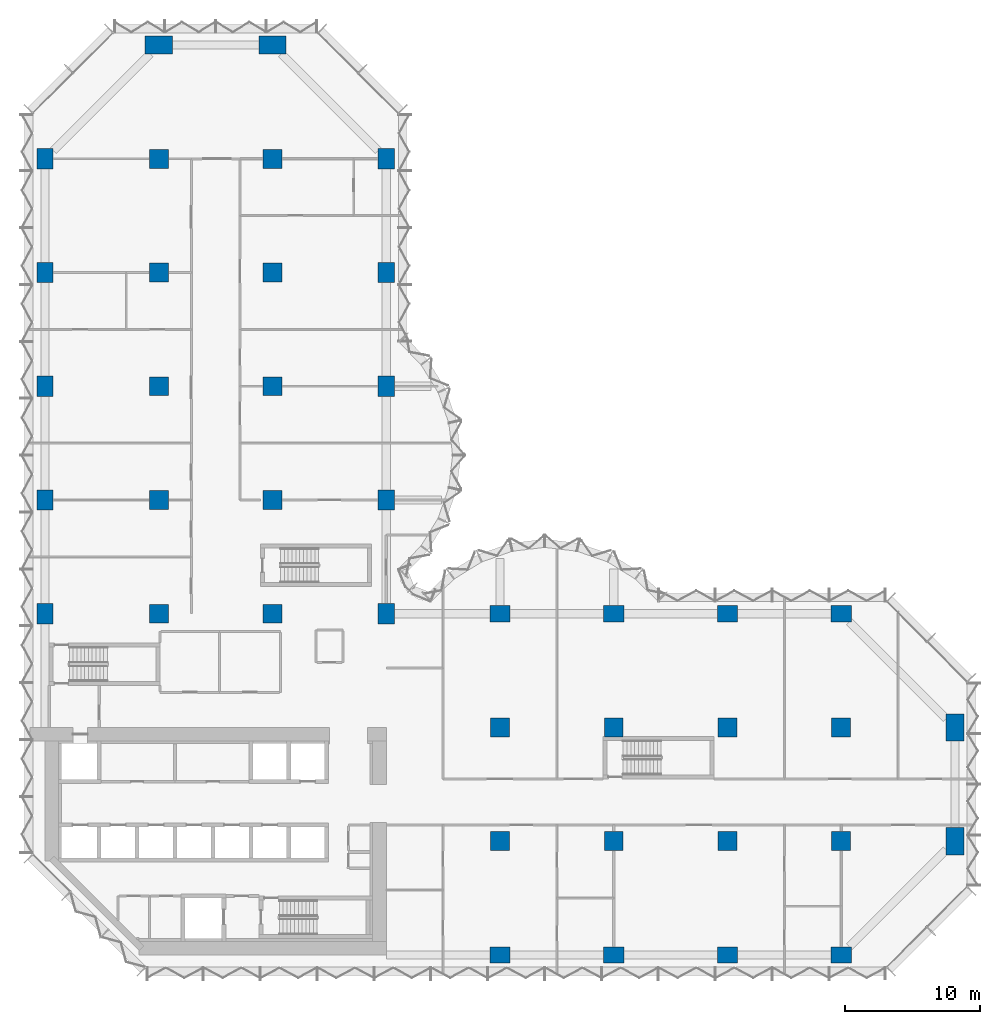
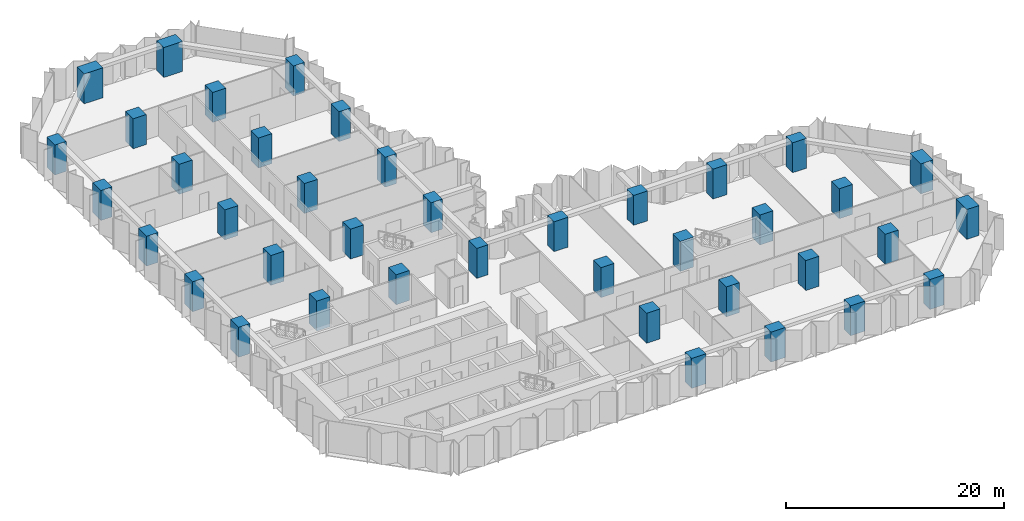
# One storey, part 1 of 15: 40 columns.
"""IFC4 building model written with IfcOpenShell, lengths in metres."""

from ifc_helpers import new_model, si_unit, direction, frame, origin, origin_2d, place, context, subcontext, project, spatial, rectangle, extrude, material, material_profile, profile_set, type_object, element, save


model = new_model("IFC4")

# Units and contexts
model_context = context("Model", 3, precision=1e-05, world=origin(), true_north=direction((0.0, 1.0)))
body_context = subcontext(model_context, "Body", "Model", "MODEL_VIEW")
ifc_project = project(units=[si_unit("LENGTHUNIT", "METRE"), si_unit("AREAUNIT", "SQUARE_METRE"), si_unit("VOLUMEUNIT", "CUBIC_METRE"), si_unit("PLANEANGLEUNIT", "RADIAN"), si_unit("MASSUNIT", "GRAM", prefix="KILO")], contexts=[model_context])

# Site, building, storey
site_placement = place(None, origin())
site = spatial("IfcSite", under=ifc_project, at=site_placement, CompositionType="ELEMENT")
building_placement = place(site_placement, origin())
building = spatial("IfcBuilding", under=site, at=building_placement, Name="Brevane Broadcast Tower", CompositionType="ELEMENT")
storey_placement = place(building_placement, frame((0.0, 0.0, 50.89990234375)))
storey = spatial("IfcBuildingStorey", under=building, at=storey_placement, Name="L10", CompositionType="ELEMENT", Elevation=50.89990234375)

# Columns
ifc_material = material(Name="Concrete C80/95", Category="concrete")
ifc_material_profile_1 = material_profile(ifc_material, rectangle(XDim=1.199951171875, YDim=1.5, at=origin_2d()), Name="RC 1200x1500")
ifc_profile_set_1 = profile_set([ifc_material_profile_1], Name="Concrete C80/95")
column_type_1 = type_object("IfcColumnType", Name="RC COLUMN EDGE 1200x1500 C80/95", PredefinedType="COLUMN", material=ifc_profile_set_1)
for number, where, z_axis, x_axis, name in (
    (1, (0.0, 25.199951171875, 0.0), (0.0, 0.0, 1.0), (1.0, 0.0, 0.0), "CE5 1/D"),
    (2, (0.0, 33.60009765625, 0.0), (0.0, 0.0, 1.0), (1.0, 0.0, 0.0), "CE5 1/E"),
    (3, (0.0, 42.0, 0.0), (0.0, 0.0, 1.0), (1.0, 0.0, 0.0), "CE5 1/F"),
    (4, (0.0, 50.39990234375, 0.0), (0.0, 0.0, 1.0), (1.0, 0.0, 0.0), "CE5 1/G"),
    (5, (0.0, 58.800048828125, 0.0), (0.0, 0.0, 1.0), (1.0, 0.0, 0.0), "CE5 1/H"),
    (6, (25.199951171875, 25.199951171875, 0.0), (0.0, 0.0, 1.0), (1.0, 0.0, 0.0), "CE5 4/D"),
    (7, (25.199951171875, 33.60009765625, 0.0), (0.0, 0.0, 1.0), (1.0, 0.0, 0.0), "CE5 4/E"),
    (8, (25.199951171875, 42.0, 0.0), (0.0, 0.0, 1.0), (1.0, 0.0, 0.0), "CE5 4/F"),
    (9, (25.199951171875, 50.39990234375, 0.0), (0.0, 0.0, 1.0), (1.0, 0.0, 0.0), "CE5 4/G"),
    (10, (25.199951171875, 58.800048828125, 0.0), (0.0, 0.0, 1.0), (1.0, 0.0, 0.0), "CE5 4/H"),
    (11, (33.60009765625, 0.0, 0.0), (0.0, 0.0, 1.0), (0.0, 1.0, 0.0), "CE5 5/A"),
    (12, (33.60009765625, 25.199951171875, 0.0), (0.0, 0.0, 1.0), (0.0, 1.0, 0.0), "CE5 5/D"),
    (13, (42.0, 0.0, 0.0), (0.0, 0.0, 1.0), (0.0, 1.0, 0.0), "CE5 6/A"),
    (14, (42.0, 25.199951171875, 0.0), (0.0, 0.0, 1.0), (0.0, 1.0, 0.0), "CE5 6/D"),
    (15, (50.39990234375, 0.0, 0.0), (0.0, 0.0, 1.0), (0.0, 1.0, 0.0), "CE5 7/A"),
    (16, (50.39990234375, 25.199951171875, 0.0), (0.0, 0.0, 1.0), (0.0, 1.0, 0.0), "CE5 7/D"),
    (17, (58.800048828125, 0.0, 0.0), (0.0, 0.0, 1.0), (0.0, 1.0, 0.0), "CE5 8/A"),
    (18, (58.800048828125, 25.199951171875, 0.0), (0.0, 0.0, 1.0), (0.0, 1.0, 0.0), "CE5 8/D"),
):
    element("IfcColumn", number, at=place(storey_placement, frame(where, z_axis=z_axis, x_axis=x_axis)), inside=storey, type_object=column_type_1, Name=name, PredefinedType="COLUMN", context=body_context, shape_type="SweptSolid", body=[
        extrude(rectangle(XDim=1.199951171875, YDim=1.5, at=origin_2d()), origin(), (0.0, 0.0, 1.0), 3.35009765625),
    ])
ifc_material_profile_2 = material_profile(ifc_material, rectangle(XDim=1.39990234375, YDim=1.39990234375, at=origin_2d()), Name="RC 1400x1400")
ifc_profile_set_2 = profile_set([ifc_material_profile_2], Name="Concrete C80/95")
column_type_2 = type_object("IfcColumnType", Name="RC COLUMN INTERIOR 1400x1400 C80/95", PredefinedType="COLUMN", material=ifc_profile_set_2)
for number, where, z_axis, x_axis, name in (
    (19, (8.39990234375, 25.199951171875, 0.0), (0.0, 0.0, 1.0), (1.0, 0.0, 0.0), "CI6 2/D"),
    (20, (8.39990234375, 33.60009765625, 0.0), (0.0, 0.0, 1.0), (1.0, 0.0, 0.0), "CI6 2/E"),
    (21, (8.39990234375, 42.0, 0.0), (0.0, 0.0, 1.0), (1.0, 0.0, 0.0), "CI6 2/F"),
    (22, (8.39990234375, 50.39990234375, 0.0), (0.0, 0.0, 1.0), (1.0, 0.0, 0.0), "CI6 2/G"),
    (23, (8.39990234375, 58.800048828125, 0.0), (0.0, 0.0, 1.0), (1.0, 0.0, 0.0), "CI6 2/H"),
    (24, (16.800048828125, 25.199951171875, 0.0), (0.0, 0.0, 1.0), (1.0, 0.0, 0.0), "CI6 3/D"),
    (25, (16.800048828125, 33.60009765625, 0.0), (0.0, 0.0, 1.0), (1.0, 0.0, 0.0), "CI6 3/E"),
    (26, (16.800048828125, 42.0, 0.0), (0.0, 0.0, 1.0), (1.0, 0.0, 0.0), "CI6 3/F"),
    (27, (16.800048828125, 50.39990234375, 0.0), (0.0, 0.0, 1.0), (1.0, 0.0, 0.0), "CI6 3/G"),
    (28, (16.800048828125, 58.800048828125, 0.0), (0.0, 0.0, 1.0), (1.0, 0.0, 0.0), "CI6 3/H"),
    (29, (33.60009765625, 8.39990234375, 0.0), (0.0, 0.0, 1.0), (1.0, 0.0, 0.0), "CI6 5/B"),
    (30, (33.60009765625, 16.800048828125, 0.0), (0.0, 0.0, 1.0), (1.0, 0.0, 0.0), "CI6 5/C"),
    (31, (42.0, 8.39990234375, 0.0), (0.0, 0.0, 1.0), (1.0, 0.0, 0.0), "CI6 6/B"),
    (32, (42.0, 16.800048828125, 0.0), (0.0, 0.0, 1.0), (1.0, 0.0, 0.0), "CI6 6/C"),
    (33, (50.39990234375, 8.39990234375, 0.0), (0.0, 0.0, 1.0), (1.0, 0.0, 0.0), "CI6 7/B"),
    (34, (50.39990234375, 16.800048828125, 0.0), (0.0, 0.0, 1.0), (1.0, 0.0, 0.0), "CI6 7/C"),
    (35, (58.800048828125, 8.39990234375, 0.0), (0.0, 0.0, 1.0), (1.0, 0.0, 0.0), "CI6 8/B"),
    (36, (58.800048828125, 16.800048828125, 0.0), (0.0, 0.0, 1.0), (1.0, 0.0, 0.0), "CI6 8/C"),
):
    element("IfcColumn", number, at=place(storey_placement, frame(where, z_axis=z_axis, x_axis=x_axis)), inside=storey, type_object=column_type_2, Name=name, PredefinedType="COLUMN", context=body_context, shape_type="SweptSolid", body=[
        extrude(rectangle(XDim=1.39990234375, YDim=1.39990234375, at=origin_2d()), origin(), (0.0, 0.0, 1.0), 3.35009765625),
    ])
ifc_material_profile_3 = material_profile(ifc_material, rectangle(XDim=1.300048828125, YDim=2.0, at=origin_2d()), Name="RC 1300x2000")
ifc_profile_set_3 = profile_set([ifc_material_profile_3], Name="Concrete C80/95")
column_type_3 = type_object("IfcColumnType", Name="RC COLUMN WING-END 1300x2000 C80/95", PredefinedType="COLUMN", material=ifc_profile_set_3)
for number, where, z_axis, x_axis, name in (
    (37, (8.39990234375, 67.199951171875, 0.0), (0.0, 0.0, 1.0), (0.0, 1.0, 0.0), "CW7 2/I"),
    (38, (16.800048828125, 67.199951171875, 0.0), (0.0, 0.0, 1.0), (0.0, 1.0, 0.0), "CW7 3/I"),
    (39, (67.199951171875, 8.39990234375, 0.0), (0.0, 0.0, 1.0), (1.0, 0.0, 0.0), "CW7 9/B"),
    (40, (67.199951171875, 16.800048828125, 0.0), (0.0, 0.0, 1.0), (1.0, 0.0, 0.0), "CW7 9/C"),
):
    element("IfcColumn", number, at=place(storey_placement, frame(where, z_axis=z_axis, x_axis=x_axis)), inside=storey, type_object=column_type_3, Name=name, PredefinedType="COLUMN", context=body_context, shape_type="SweptSolid", body=[
        extrude(rectangle(XDim=1.300048828125, YDim=2.0, at=origin_2d()), origin(), (0.0, 0.0, 1.0), 3.35009765625),
    ])

save(model, "model.ifc")
